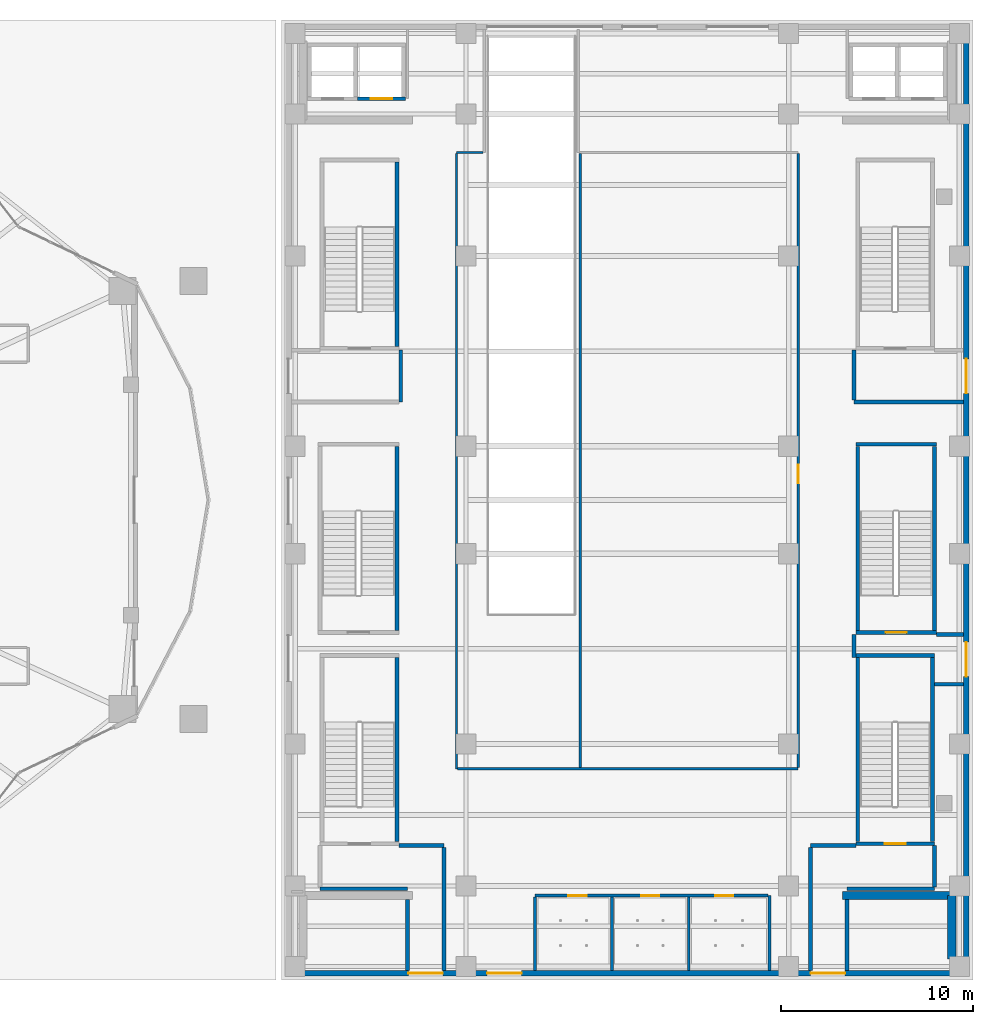
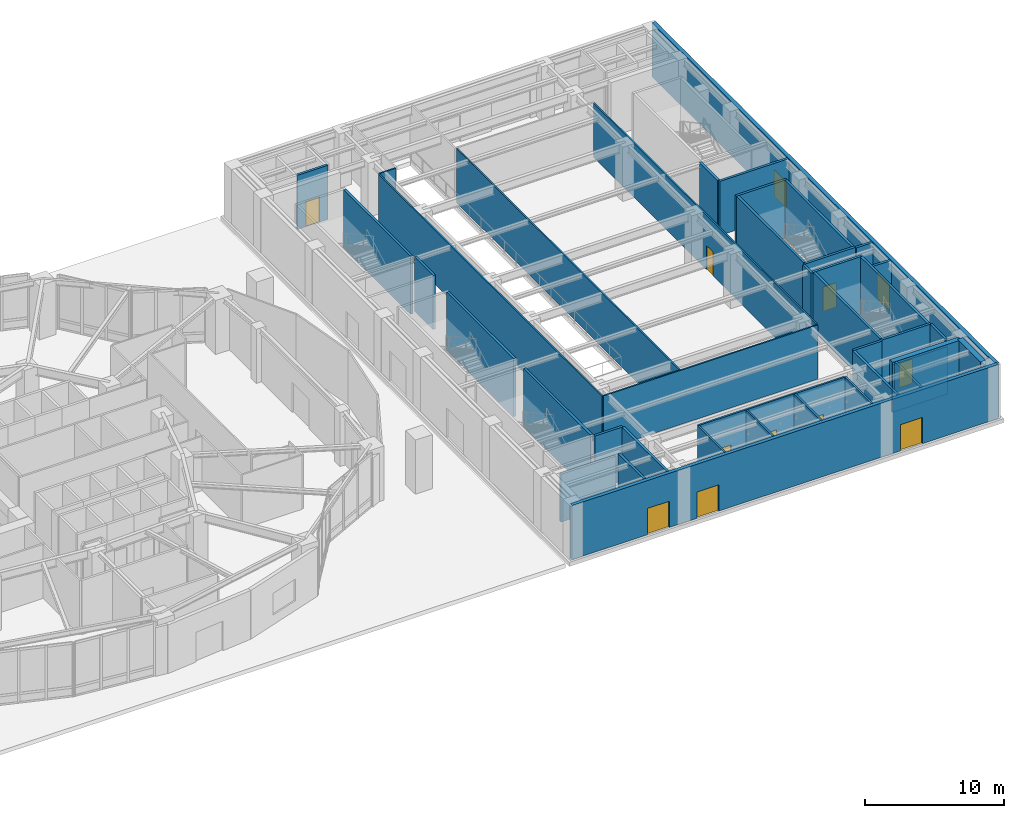
# One storey, part 15 of 23: 41 walls, 12 doors, 12 openings.
"""IFC4 building model written with IfcOpenShell, lengths in metres."""

from ifc_helpers import new_model, si_unit, direction, frame, frame_2d, origin, place, context, subcontext, project, spatial, rectangle, extrude, material, layer, layer_set, type_object, element, fill, save


model = new_model("IFC4")

# Units and contexts
model_context = context("Model", 3, precision=1e-05, world=origin(), true_north=direction((0.0, 1.0)))
body_context = subcontext(model_context, "Body", "Model", "MODEL_VIEW")
ifc_project = project(units=[si_unit("LENGTHUNIT", "METRE"), si_unit("AREAUNIT", "SQUARE_METRE"), si_unit("VOLUMEUNIT", "CUBIC_METRE"), si_unit("PLANEANGLEUNIT", "RADIAN"), si_unit("MASSUNIT", "GRAM", prefix="KILO")], contexts=[model_context])

# Site, building, storey
site_placement = place(None, origin())
site = spatial("IfcSite", under=ifc_project, at=site_placement, CompositionType="ELEMENT")
building_placement = place(site_placement, origin())
building = spatial("IfcBuilding", under=site, at=building_placement, Name="Kolvaren Gate Tower and Convention Centre", CompositionType="ELEMENT")
storey_placement = place(building_placement, origin())
storey = spatial("IfcBuildingStorey", under=building, at=storey_placement, Name="L00", CompositionType="ELEMENT", Elevation=0.0)

# Walls
ifc_material_1 = material(Name="Fire-Rated Acoustic Gypsum Stud Partition", Category="gypsum")
ifc_layer_1 = layer(ifc_material_1, 0.1201171875)
ifc_layer_set_1 = layer_set([ifc_layer_1], Name="Fire-Rated Acoustic Gypsum Stud Partition")
wall_type_1 = type_object("IfcWallType", Name="ARCH-WL-PART-120", PredefinedType="PARTITIONING", material=ifc_layer_set_1)
wall_1_placement = place(storey_placement, frame((71.10009765625, 45.10009765625, 0.0), z_axis=(0.0, 0.0, 1.0), x_axis=(1.0, 0.0, 0.0)))
element("IfcWall", 1, at=wall_1_placement, inside=storey, type_object=wall_type_1, Name="Interior Partition WL-L00-INT-078", PredefinedType="PARTITIONING", context=body_context, shape_type="SweptSolid", body=[
    extrude(rectangle(XDim=1.387939453125, YDim=0.1201171875, at=frame_2d((0.69384765625, 0.0))), origin(), (0.0, 0.0, 1.0), 4.739990234375),
])
wall_2_placement = place(storey_placement, frame((71.10009765625, 13.0, 0.0), z_axis=(0.0, 0.0, 1.0), x_axis=(0.0, 1.0, 0.0)))
element("IfcWall", 2, at=wall_2_placement, inside=storey, type_object=wall_type_1, Name="Interior Partition WL-L00-INT-080", PredefinedType="PARTITIONING", context=body_context, shape_type="SweptSolid", body=[
    extrude(rectangle(XDim=32.0380859375, YDim=0.1201171875, at=frame_2d((16.01904296875, 0.0))), origin(), (0.0, 0.0, 1.0), 4.739990234375),
])
wall_3_placement = place(storey_placement, frame((71.162109375, 13.0, 0.0), z_axis=(0.0, 0.0, 1.0), x_axis=(1.0, 0.0, 0.0)))
element("IfcWall", 3, at=wall_3_placement, inside=storey, type_object=wall_type_1, Name="Interior Partition WL-L00-INT-081", PredefinedType="PARTITIONING", context=body_context, shape_type="SweptSolid", body=[
    extrude(rectangle(XDim=17.73779296875, YDim=0.1201171875, at=frame_2d((8.868896484375, 0.0))), origin(), (0.0, 0.0, 1.0), 4.739990234375),
])

# Wall, opening, door
wall_4_placement = place(storey_placement, frame((88.89990234375, 13.06201171875, 0.0), z_axis=(0.0, 0.0, 1.0), x_axis=(0.0, 1.0, 0.0)))
wall_4 = element("IfcWall", 4, at=wall_4_placement, inside=storey, type_object=wall_type_1, Name="Interior Partition WL-L00-INT-082", PredefinedType="PARTITIONING", context=body_context, shape_type="SweptSolid", body=[
    extrude(rectangle(XDim=31.97607421875, YDim=0.1201171875, at=frame_2d((15.988037109375, 0.0))), origin(), (0.0, 0.0, 1.0), 4.739990234375),
])
opening_1_placement = place(wall_4_placement, frame((14.81298828125, 0.0, 0.0)))
opening_1 = element("IfcOpeningElement", 5, at=opening_1_placement, cuts=wall_4, Name="Opening DR-01", PredefinedType="OPENING", context=body_context, shape_type="SweptSolid", body=[
    extrude(rectangle(XDim=0.949951171875, YDim=2.10009765625, at=frame_2d((0.47509765625, 1.050048828125))), frame((0.0, 0.070068359375, 0.0), z_axis=(0.0, -1.0, 0.0), x_axis=(1.0, 0.0, 0.0)), (0.0, 0.0, 1.0), 0.14013671875),
])
ifc_material_2 = material(Name="Painted Architectural Steelwork ASTM A500 Grade C 345 MPa", Category="steel")
door_type_1 = type_object("IfcDoorType", Name="ARCH-DR-RISER-950", OperationType="SINGLE_SWING_RIGHT", PredefinedType="DOOR", material=ifc_material_2)
door_1_placement = place(opening_1_placement, origin())
door_1 = element("IfcDoor", 6, at=door_1_placement, inside=storey, type_object=door_type_1, Name="Ground Exhibition and Registration Theatre Door", OperationType="SINGLE_SWING_LEFT", OverallHeight=2.10009765625, OverallWidth=0.949951171875, PredefinedType="DOOR", context=body_context, shape_type="SweptSolid", body=[
    extrude(rectangle(XDim=0.949951171875, YDim=2.10009765625, at=frame_2d((0.47509765625, 1.050048828125))), frame((0.0, 0.02490234375, 0.0), z_axis=(0.0, -1.0, 0.0), x_axis=(1.0, 0.0, 0.0)), (0.0, 0.0, 1.0), 0.050048828125),
])
fill(opening_1, door_1)

# Wall
wall_5_placement = place(storey_placement, frame((77.550048828125, 13.06201171875, 0.0), z_axis=(0.0, 0.0, 1.0), x_axis=(0.0, 1.0, 0.0)))
element("IfcWall", 7, at=wall_5_placement, inside=storey, type_object=wall_type_1, Name="Interior Partition WL-L00-INT-085", PredefinedType="PARTITIONING", context=body_context, shape_type="SweptSolid", body=[
    extrude(rectangle(XDim=31.97607421875, YDim=0.1201171875, at=frame_2d((15.988037109375, 0.0))), origin(), (0.0, 0.0, 1.0), 4.739990234375),
])

# Wall, opening, door
ifc_material_3 = material(Name="Autoclaved Aerated Masonry Blockwork Class 4 (4.0 MPa)", Category="masonry")
ifc_layer_2 = layer(ifc_material_3, 0.199951171875)
ifc_layer_set_2 = layer_set([ifc_layer_2], Name="Autoclaved Aerated Masonry Blockwork Class 4 (4.0 MPa)")
wall_type_2 = type_object("IfcWallType", Name="ARCH-WL-SHAFT-200", PredefinedType="SOLIDWALL", material=ifc_layer_set_2)
wall_6_placement = place(storey_placement, frame((65.949951171875, 47.89990234375, 0.0), z_axis=(0.0, 0.0, 1.0), x_axis=(1.0, 0.0, 0.0)))
wall_6 = element("IfcWall", 8, at=wall_6_placement, inside=storey, type_object=wall_type_2, Name="Elevator CL-02 L00 Fire Shaft Wall S", PredefinedType="SOLIDWALL", context=body_context, shape_type="SweptSolid", body=[
    extrude(rectangle(XDim=2.5, YDim=0.199951171875, at=frame_2d((1.25, 0.0))), origin(), (0.0, 0.0, 1.0), 4.739990234375),
])
opening_2_placement = place(wall_6_placement, frame((0.699951171875, 0.0, 0.0)))
opening_2 = element("IfcOpeningElement", 9, at=opening_2_placement, cuts=wall_6, Name="Opening LD", PredefinedType="OPENING", context=body_context, shape_type="SweptSolid", body=[
    extrude(rectangle(XDim=1.10009765625, YDim=2.199951171875, at=frame_2d((0.550048828125, 1.10009765625))), frame((0.0, 0.10986328125, 0.0), z_axis=(0.0, -1.0, 0.0), x_axis=(1.0, 0.0, 0.0)), (0.0, 0.0, 1.0), 0.219970703125),
])
ifc_material_4 = material(Name="Brushed Stainless Steel Grade 316L", Category="steel")
door_type_2 = type_object("IfcDoorType", Name="ARCH-DR-LIFT-1100", OperationType="SLIDING_TO_LEFT", PredefinedType="DOOR", material=ifc_material_4)
door_2_placement = place(opening_2_placement, origin())
door_2 = element("IfcDoor", 10, at=door_2_placement, inside=storey, type_object=door_type_2, Name="Elevator CL-02 L00 Sliding Landing Door", OperationType="SLIDING_TO_LEFT", OverallHeight=2.199951171875, OverallWidth=1.10009765625, PredefinedType="DOOR", context=body_context, shape_type="SweptSolid", body=[
    extrude(rectangle(XDim=1.10009765625, YDim=2.199951171875, at=frame_2d((0.550048828125, 1.10009765625))), frame((0.0, 0.02490234375, 0.0), z_axis=(0.0, -1.0, 0.0), x_axis=(1.0, 0.0, 0.0)), (0.0, 0.0, 1.0), 0.050048828125),
])
fill(opening_2, door_2)

# Walls
wall_7_placement = place(storey_placement, frame((96.001953125, 17.39990234375, 0.0), z_axis=(0.0, 0.0, 1.0), x_axis=(1.0, 0.0, 0.0)))
element("IfcWall", 11, at=wall_7_placement, inside=storey, type_object=wall_type_2, Name="Interior Partition WL-L00-INT-037", PredefinedType="SOLIDWALL", context=body_context, shape_type="SweptSolid", body=[
    extrude(rectangle(XDim=1.49609375, YDim=0.199951171875, at=frame_2d((0.748046875, 0.0))), origin(), (0.0, 0.0, 1.0), 4.739990234375),
])
wall_8_placement = place(storey_placement, frame((68.199951171875, 32.10009765625, 0.0), z_axis=(0.0, 0.0, 1.0), x_axis=(0.0, 1.0, 0.0)))
element("IfcWall", 12, at=wall_8_placement, inside=storey, type_object=wall_type_2, Name="Interior Partition WL-L00-INT-052", PredefinedType="SOLIDWALL", context=body_context, shape_type="SweptSolid", body=[
    extrude(rectangle(XDim=2.699951171875, YDim=0.199951171875, at=frame_2d((1.35009765625, 0.0))), origin(), (0.0, 0.0, 1.0), 4.739990234375),
])
wall_9_placement = place(storey_placement, frame((91.800048828125, 32.10009765625, 0.0), z_axis=(0.0, 0.0, 1.0), x_axis=(1.0, 0.0, 0.0)))
element("IfcWall", 13, at=wall_9_placement, inside=storey, type_object=wall_type_2, Name="Interior Partition WL-L00-INT-054", PredefinedType="SOLIDWALL", context=body_context, shape_type="SweptSolid", body=[
    extrude(rectangle(XDim=5.697998046875, YDim=0.199951171875, at=frame_2d((2.84912109375, 0.0))), origin(), (0.0, 0.0, 1.0), 4.739990234375),
])
wall_10_placement = place(storey_placement, frame((68.550048828125, 2.501953125, 0.0), z_axis=(0.0, 0.0, 1.0), x_axis=(0.0, 1.0, 0.0)))
element("IfcWall", 14, at=wall_10_placement, inside=storey, type_object=wall_type_2, Name="Interior Partition WL-L00-INT-057", PredefinedType="SOLIDWALL", context=body_context, shape_type="SweptSolid", body=[
    extrude(rectangle(XDim=3.68603515625, YDim=0.199951171875, at=frame_2d((1.843017578125, 0.0))), origin(), (0.0, 0.0, 1.0), 4.739990234375),
])
for number, where, z_axis, x_axis, name in (
    (15, (64.0, 6.75, 0.0), (0.0, 0.0, 1.0), (1.0, 0.0, 0.0), "Interior Partition WL-L00-INT-059"),
    (16, (91.449951171875, 6.75, 0.0), (0.0, 0.0, 1.0), (1.0, 0.0, 0.0), "Interior Partition WL-L00-INT-060"),
):
    element("IfcWall", number, at=place(storey_placement, frame(where, z_axis=z_axis, x_axis=x_axis)), inside=storey, type_object=wall_type_2, Name=name, PredefinedType="SOLIDWALL", context=body_context, shape_type="SweptSolid", body=[
        extrude(rectangle(XDim=4.550048828125, YDim=0.199951171875, at=frame_2d((2.27490234375, 0.0))), origin(), (0.0, 0.0, 1.0), 4.18798828125),
    ])
for number, where, z_axis, x_axis, name in (
    (17, (68.10009765625, 9.0, 0.0), (0.0, 0.0, 1.0), (1.0, 0.0, 0.0), "Interior Partition WL-L00-INT-062"),
    (18, (89.550048828125, 9.0, 0.0), (0.0, 0.0, 1.0), (1.0, 0.0, 0.0), "Interior Partition WL-L00-INT-063"),
):
    element("IfcWall", number, at=place(storey_placement, frame(where, z_axis=z_axis, x_axis=x_axis)), inside=storey, type_object=wall_type_2, Name=name, PredefinedType="SOLIDWALL", context=body_context, shape_type="SweptSolid", body=[
        extrude(rectangle(XDim=2.349853515625, YDim=0.199951171875, at=frame_2d((1.1748046875, 0.0))), origin(), (0.0, 0.0, 1.0), 4.739990234375),
    ])
wall_11_placement = place(storey_placement, frame((70.449951171875, 2.501953125, 0.0), z_axis=(0.0, 0.0, 1.0), x_axis=(0.0, 1.0, 0.0)))
element("IfcWall", 19, at=wall_11_placement, inside=storey, type_object=wall_type_2, Name="Interior Partition WL-L00-INT-064", PredefinedType="SOLIDWALL", context=body_context, shape_type="SweptSolid", body=[
    extrude(rectangle(XDim=6.39599609375, YDim=0.199951171875, at=frame_2d((3.197998046875, 0.0))), origin(), (0.0, 0.0, 1.0), 4.739990234375),
])
wall_12_placement = place(storey_placement, frame((91.800048828125, 18.798095703125, 0.0), z_axis=(0.0, 0.0, 1.0), x_axis=(0.0, 1.0, 0.0)))
element("IfcWall", 20, at=wall_12_placement, inside=storey, type_object=wall_type_2, Name="Interior Partition WL-L00-INT-065", PredefinedType="SOLIDWALL", context=body_context, shape_type="SweptSolid", body=[
    extrude(rectangle(XDim=1.201904296875, YDim=0.199951171875, at=frame_2d((0.60107421875, 0.0))), origin(), (0.0, 0.0, 1.0), 4.739990234375),
])
wall_13_placement = place(storey_placement, frame((91.800048828125, 32.201904296875, 0.0), z_axis=(0.0, 0.0, 1.0), x_axis=(0.0, 1.0, 0.0)))
element("IfcWall", 21, at=wall_13_placement, inside=storey, type_object=wall_type_2, Name="Interior Partition WL-L00-INT-066", PredefinedType="SOLIDWALL", context=body_context, shape_type="SweptSolid", body=[
    extrude(rectangle(XDim=2.59814453125, YDim=0.199951171875, at=frame_2d((1.299072265625, 0.0))), origin(), (0.0, 0.0, 1.0), 4.739990234375),
])
wall_14_placement = place(storey_placement, frame((89.550048828125, 2.501953125, 0.0), z_axis=(0.0, 0.0, 1.0), x_axis=(0.0, 1.0, 0.0)))
element("IfcWall", 22, at=wall_14_placement, inside=storey, type_object=wall_type_2, Name="Interior Partition WL-L00-INT-067", PredefinedType="SOLIDWALL", context=body_context, shape_type="SweptSolid", body=[
    extrude(rectangle(XDim=6.39599609375, YDim=0.199951171875, at=frame_2d((3.197998046875, 0.0))), origin(), (0.0, 0.0, 1.0), 4.739990234375),
])
wall_15_placement = place(storey_placement, frame((96.0, 6.85205078125, 0.0), z_axis=(0.0, 0.0, 1.0), x_axis=(0.0, 1.0, 0.0)))
element("IfcWall", 23, at=wall_15_placement, inside=storey, type_object=wall_type_2, Name="Interior Partition WL-L00-INT-068", PredefinedType="SOLIDWALL", context=body_context, shape_type="SweptSolid", body=[
    extrude(rectangle(XDim=2.14599609375, YDim=0.199951171875, at=frame_2d((1.072998046875, 0.0))), origin(), (0.0, 0.0, 1.0), 4.739990234375),
])
wall_16_placement = place(storey_placement, frame((91.449951171875, 2.501953125, 0.0), z_axis=(0.0, 0.0, 1.0), x_axis=(0.0, 1.0, 0.0)))
element("IfcWall", 24, at=wall_16_placement, inside=storey, type_object=wall_type_2, Name="Interior Partition WL-L00-INT-069", PredefinedType="SOLIDWALL", context=body_context, shape_type="SweptSolid", body=[
    extrude(rectangle(XDim=3.68603515625, YDim=0.199951171875, at=frame_2d((1.843017578125, 0.0))), origin(), (0.0, 0.0, 1.0), 4.739990234375),
])
wall_17_placement = place(storey_placement, frame((96.10009765625, 20.0, 0.0), z_axis=(0.0, 0.0, 1.0), x_axis=(1.0, 0.0, 0.0)))
element("IfcWall", 25, at=wall_17_placement, inside=storey, type_object=wall_type_2, Name="Interior Partition WL-L00-INT-071", PredefinedType="SOLIDWALL", context=body_context, shape_type="SweptSolid", body=[
    extrude(rectangle(XDim=1.39794921875, YDim=0.199951171875, at=frame_2d((0.698974609375, 0.0))), origin(), (0.0, 0.0, 1.0), 4.739990234375),
])

# Wall, openings, doors
ifc_material_5 = material(Name="Piedmont Cream Honed Limestone Cladding", Category="masonry")
ifc_layer_3 = layer(ifc_material_5, 0.300048828125)
ifc_layer_set_3 = layer_set([ifc_layer_3], Name="Piedmont Cream Honed Limestone Cladding")
wall_type_3 = type_object("IfcWallType", Name="ARCH-WL-STONE-300", PredefinedType="SOLIDWALL", material=ifc_layer_set_3)
wall_18_placement = place(storey_placement, frame((62.35009765625, 2.35009765625, 0.0), z_axis=(0.0, 0.0, 1.0), x_axis=(1.0, 0.0, 0.0)))
wall_18 = element("IfcWall", 26, at=wall_18_placement, inside=storey, type_object=wall_type_3, Name="Convention Centre L00 S Stone Facade Wall", PredefinedType="SOLIDWALL", context=body_context, shape_type="SweptSolid", body=[
    extrude(rectangle(XDim=35.2998046875, YDim=0.300048828125, at=frame_2d((17.64990234375, 0.0))), origin(), (0.0, 0.0, 1.0), 4.739990234375),
])
opening_3_placement = place(wall_18_placement, frame((6.25, 0.0, 0.0)))
opening_3 = element("IfcOpeningElement", 27, at=opening_3_placement, cuts=wall_18, Name="Opening DX-01", PredefinedType="OPENING", context=body_context, shape_type="SweptSolid", body=[
    extrude(rectangle(XDim=1.800048828125, YDim=2.300048828125, at=frame_2d((0.89990234375, 1.14990234375))), frame((0.0, 0.159912109375, 0.0), z_axis=(0.0, -1.0, 0.0), x_axis=(1.0, 0.0, 0.0)), (0.0, 0.0, 1.0), 0.320068359375),
])
opening_4_placement = place(wall_18_placement, frame((10.35009765625, 0.0, 0.0)))
opening_4 = element("IfcOpeningElement", 28, at=opening_4_placement, cuts=wall_18, Name="Opening DX-01", PredefinedType="OPENING", context=body_context, shape_type="SweptSolid", body=[
    extrude(rectangle(XDim=1.800048828125, YDim=2.300048828125, at=frame_2d((0.89990234375, 1.14990234375))), frame((0.0, 0.159912109375, 0.0), z_axis=(0.0, -1.0, 0.0), x_axis=(1.0, 0.0, 0.0)), (0.0, 0.0, 1.0), 0.320068359375),
])
opening_5_placement = place(wall_18_placement, frame((27.199951171875, 0.0, 0.0)))
opening_5 = element("IfcOpeningElement", 29, at=opening_5_placement, cuts=wall_18, Name="Opening DX-01", PredefinedType="OPENING", context=body_context, shape_type="SweptSolid", body=[
    extrude(rectangle(XDim=1.800048828125, YDim=2.300048828125, at=frame_2d((0.89990234375, 1.14990234375))), frame((0.0, 0.159912109375, 0.0), z_axis=(0.0, -1.0, 0.0), x_axis=(1.0, 0.0, 0.0)), (0.0, 0.0, 1.0), 0.320068359375),
])
ifc_material_6 = material(Name="Anodized Architectural Aluminium Alloy 6063-T6", Category="aluminium")
door_type_3 = type_object("IfcDoorType", Name="ARCH-DR-EXIT-1800", OperationType="DOUBLE_DOOR_SINGLE_SWING", PredefinedType="DOOR", material=ifc_material_6)
door_3_placement = place(opening_3_placement, frame((1.800048828125, 0.0, 0.0), z_axis=(0.0, 0.0, 1.0), x_axis=(-1.0, 0.0, 0.0)))
door_3 = element("IfcDoor", 30, at=door_3_placement, inside=storey, type_object=door_type_3, Name="Stair ST-C2 Protected Exit Discharge Door DX-C2", OperationType="DOUBLE_DOOR_SINGLE_SWING", OverallHeight=2.300048828125, OverallWidth=1.800048828125, PredefinedType="DOOR", context=body_context, shape_type="SweptSolid", body=[
    extrude(rectangle(XDim=1.800048828125, YDim=2.300048828125, at=frame_2d((0.89990234375, 1.14990234375))), frame((0.0, 0.02490234375, 0.0), z_axis=(0.0, -1.0, 0.0), x_axis=(1.0, 0.0, 0.0)), (0.0, 0.0, 1.0), 0.050048828125),
])
fill(opening_3, door_3)
door_4_placement = place(opening_4_placement, frame((1.800048828125, 0.0, 0.0), z_axis=(0.0, 0.0, 1.0), x_axis=(-1.0, 0.0, 0.0)))
door_4 = element("IfcDoor", 31, at=door_4_placement, inside=storey, type_object=door_type_3, Name="Convention S Exit Discharge Door", OperationType="DOUBLE_DOOR_SINGLE_SWING", OverallHeight=2.300048828125, OverallWidth=1.800048828125, PredefinedType="DOOR", context=body_context, shape_type="SweptSolid", body=[
    extrude(rectangle(XDim=1.800048828125, YDim=2.300048828125, at=frame_2d((0.89990234375, 1.14990234375))), frame((0.0, 0.02490234375, 0.0), z_axis=(0.0, -1.0, 0.0), x_axis=(1.0, 0.0, 0.0)), (0.0, 0.0, 1.0), 0.050048828125),
])
fill(opening_4, door_4)
door_5_placement = place(opening_5_placement, frame((1.800048828125, 0.0, 0.0), z_axis=(0.0, 0.0, 1.0), x_axis=(-1.0, 0.0, 0.0)))
door_5 = element("IfcDoor", 32, at=door_5_placement, inside=storey, type_object=door_type_3, Name="Stair ST-C4 Protected Exit Discharge Door DX-C4", OperationType="DOUBLE_DOOR_SINGLE_SWING", OverallHeight=2.300048828125, OverallWidth=1.800048828125, PredefinedType="DOOR", context=body_context, shape_type="SweptSolid", body=[
    extrude(rectangle(XDim=1.800048828125, YDim=2.300048828125, at=frame_2d((0.89990234375, 1.14990234375))), frame((0.0, 0.02490234375, 0.0), z_axis=(0.0, -1.0, 0.0), x_axis=(1.0, 0.0, 0.0)), (0.0, 0.0, 1.0), 0.050048828125),
])
fill(opening_5, door_5)

wall_19_placement = place(storey_placement, frame((97.64990234375, 2.35009765625, 0.0), z_axis=(0.0, 0.0, 1.0), x_axis=(0.0, 1.0, 0.0)))
wall_19 = element("IfcWall", 33, at=wall_19_placement, inside=storey, type_object=wall_type_3, Name="Convention Centre L00 E Stone Facade Wall", PredefinedType="SOLIDWALL", context=body_context, shape_type="SweptSolid", body=[
    extrude(rectangle(XDim=49.2998046875, YDim=0.300048828125, at=frame_2d((24.64990234375, 0.0))), origin(), (0.0, 0.0, 1.0), 4.739990234375),
])
opening_6_placement = place(wall_19_placement, frame((15.449951171875, 0.0, 0.0)))
opening_6 = element("IfcOpeningElement", 34, at=opening_6_placement, cuts=wall_19, Name="Opening DX-01", PredefinedType="OPENING", context=body_context, shape_type="SweptSolid", body=[
    extrude(rectangle(XDim=1.800048828125, YDim=2.300048828125, at=frame_2d((0.89990234375, 1.14990234375))), frame((0.0, 0.159912109375, 0.0), z_axis=(0.0, -1.0, 0.0), x_axis=(1.0, 0.0, 0.0)), (0.0, 0.0, 1.0), 0.320068359375),
])
opening_7_placement = place(wall_19_placement, frame((30.199951171875, 0.0, 0.0)))
opening_7 = element("IfcOpeningElement", 35, at=opening_7_placement, cuts=wall_19, Name="Opening DX-01", PredefinedType="OPENING", context=body_context, shape_type="SweptSolid", body=[
    extrude(rectangle(XDim=1.800048828125, YDim=2.300048828125, at=frame_2d((0.89990234375, 1.14990234375))), frame((0.0, 0.159912109375, 0.0), z_axis=(0.0, -1.0, 0.0), x_axis=(1.0, 0.0, 0.0)), (0.0, 0.0, 1.0), 0.320068359375),
])
door_6_placement = place(opening_6_placement, frame((1.800048828125, 0.0, 0.0), z_axis=(0.0, 0.0, 1.0), x_axis=(-1.0, 0.0, 0.0)))
door_6 = element("IfcDoor", 36, at=door_6_placement, inside=storey, type_object=door_type_3, Name="Stair ST-C6 Protected Exit Discharge Door DX-C6", OperationType="DOUBLE_DOOR_SINGLE_SWING", OverallHeight=2.300048828125, OverallWidth=1.800048828125, PredefinedType="DOOR", context=body_context, shape_type="SweptSolid", body=[
    extrude(rectangle(XDim=1.800048828125, YDim=2.300048828125, at=frame_2d((0.89990234375, 1.14990234375))), frame((0.0, 0.02490234375, 0.0), z_axis=(0.0, -1.0, 0.0), x_axis=(1.0, 0.0, 0.0)), (0.0, 0.0, 1.0), 0.050048828125),
])
fill(opening_6, door_6)
door_7_placement = place(opening_7_placement, frame((1.800048828125, 0.0, 0.0), z_axis=(0.0, 0.0, 1.0), x_axis=(-1.0, 0.0, 0.0)))
door_7 = element("IfcDoor", 37, at=door_7_placement, inside=storey, type_object=door_type_3, Name="Stair ST-C3 Protected Exit Discharge Door DX-C3", OperationType="DOUBLE_DOOR_SINGLE_SWING", OverallHeight=2.300048828125, OverallWidth=1.800048828125, PredefinedType="DOOR", context=body_context, shape_type="SweptSolid", body=[
    extrude(rectangle(XDim=1.800048828125, YDim=2.300048828125, at=frame_2d((0.89990234375, 1.14990234375))), frame((0.0, 0.02490234375, 0.0), z_axis=(0.0, -1.0, 0.0), x_axis=(1.0, 0.0, 0.0)), (0.0, 0.0, 1.0), 0.050048828125),
])
fill(opening_7, door_7)

# Wall
ifc_material_7 = material(Name="Moisture-Resistant Cement-Board Acoustic Partition", Category="gypsum")
ifc_layer_4 = layer(ifc_material_7, 0.14990234375)
ifc_layer_set_4 = layer_set([ifc_layer_4], Name="Moisture-Resistant Cement-Board Acoustic Partition")
wall_type_4 = type_object("IfcWallType", Name="ARCH-WL-WET-150", PredefinedType="PARTITIONING", material=ifc_layer_set_4)
wall_20_placement = place(storey_placement, frame((87.39990234375, 2.501953125, 0.0), z_axis=(0.0, 0.0, 1.0), x_axis=(0.0, 1.0, 0.0)))
element("IfcWall", 38, at=wall_20_placement, inside=storey, type_object=wall_type_4, Name="Interior Partition WL-L00-INT-072", PredefinedType="PARTITIONING", context=body_context, shape_type="SweptSolid", body=[
    extrude(rectangle(XDim=3.89794921875, YDim=0.14990234375, at=frame_2d((1.948974609375, 0.0))), origin(), (0.0, 0.0, 1.0), 4.739990234375),
])

# Wall, openings, doors
wall_21_placement = place(storey_placement, frame((75.199951171875, 6.39990234375, 0.0), z_axis=(0.0, 0.0, 1.0), x_axis=(1.0, 0.0, 0.0)))
wall_21 = element("IfcWall", 39, at=wall_21_placement, inside=storey, type_object=wall_type_4, Name="Interior Partition WL-L00-INT-073", PredefinedType="PARTITIONING", context=body_context, shape_type="SweptSolid", body=[
    extrude(rectangle(XDim=12.123046875, YDim=0.14990234375, at=frame_2d((6.0615234375, 0.0))), origin(), (0.0, 0.0, 1.0), 4.739990234375),
])
opening_8_placement = place(wall_21_placement, frame((1.72998046875, 0.0, 0.0)))
opening_8 = element("IfcOpeningElement", 40, at=opening_8_placement, cuts=wall_21, Name="Opening DR-01", PredefinedType="OPENING", context=body_context, shape_type="SweptSolid", body=[
    extrude(rectangle(XDim=0.949951171875, YDim=2.10009765625, at=frame_2d((0.47509765625, 1.050048828125))), frame((0.0, 0.0849609375, 0.0), z_axis=(0.0, -1.0, 0.0), x_axis=(1.0, 0.0, 0.0)), (0.0, 0.0, 1.0), 0.169921875),
])
opening_9_placement = place(wall_21_placement, frame((5.52490234375, 0.0, 0.0)))
opening_9 = element("IfcOpeningElement", 41, at=opening_9_placement, cuts=wall_21, Name="Opening DR-01", PredefinedType="OPENING", context=body_context, shape_type="SweptSolid", body=[
    extrude(rectangle(XDim=0.949951171875, YDim=2.10009765625, at=frame_2d((0.47509765625, 1.050048828125))), frame((0.0, 0.0849609375, 0.0), z_axis=(0.0, -1.0, 0.0), x_axis=(1.0, 0.0, 0.0)), (0.0, 0.0, 1.0), 0.169921875),
])
opening_10_placement = place(wall_21_placement, frame((9.381591796875, 0.0, 0.0)))
opening_10 = element("IfcOpeningElement", 42, at=opening_10_placement, cuts=wall_21, Name="Opening DR-01", PredefinedType="OPENING", context=body_context, shape_type="SweptSolid", body=[
    extrude(rectangle(XDim=0.949951171875, YDim=2.10009765625, at=frame_2d((0.47509765625, 1.050048828125))), frame((0.0, 0.0849609375, 0.0), z_axis=(0.0, -1.0, 0.0), x_axis=(1.0, 0.0, 0.0)), (0.0, 0.0, 1.0), 0.169921875),
])
door_8_placement = place(opening_8_placement, origin())
door_8 = element("IfcDoor", 43, at=door_8_placement, inside=storey, type_object=door_type_1, Name="Convention L00 Delegate Male Restroom Door", OperationType="SINGLE_SWING_RIGHT", OverallHeight=2.10009765625, OverallWidth=0.949951171875, PredefinedType="DOOR", context=body_context, shape_type="SweptSolid", body=[
    extrude(rectangle(XDim=0.949951171875, YDim=2.10009765625, at=frame_2d((0.47509765625, 1.050048828125))), frame((0.0, 0.02490234375, 0.0), z_axis=(0.0, -1.0, 0.0), x_axis=(1.0, 0.0, 0.0)), (0.0, 0.0, 1.0), 0.050048828125),
])
fill(opening_8, door_8)
door_9_placement = place(opening_9_placement, origin())
door_9 = element("IfcDoor", 44, at=door_9_placement, inside=storey, type_object=door_type_1, Name="Convention L00 Accessible Restroom Door", OperationType="SINGLE_SWING_LEFT", OverallHeight=2.10009765625, OverallWidth=0.949951171875, PredefinedType="DOOR", context=body_context, shape_type="SweptSolid", body=[
    extrude(rectangle(XDim=0.949951171875, YDim=2.10009765625, at=frame_2d((0.47509765625, 1.050048828125))), frame((0.0, 0.02490234375, 0.0), z_axis=(0.0, -1.0, 0.0), x_axis=(1.0, 0.0, 0.0)), (0.0, 0.0, 1.0), 0.050048828125),
])
fill(opening_9, door_9)
door_10_placement = place(opening_10_placement, origin())
door_10 = element("IfcDoor", 45, at=door_10_placement, inside=storey, type_object=door_type_1, Name="Convention L00 Delegate Female Restroom Door", OperationType="SINGLE_SWING_RIGHT", OverallHeight=2.10009765625, OverallWidth=0.949951171875, PredefinedType="DOOR", context=body_context, shape_type="SweptSolid", body=[
    extrude(rectangle(XDim=0.949951171875, YDim=2.10009765625, at=frame_2d((0.47509765625, 1.050048828125))), frame((0.0, 0.02490234375, 0.0), z_axis=(0.0, -1.0, 0.0), x_axis=(1.0, 0.0, 0.0)), (0.0, 0.0, 1.0), 0.050048828125),
])
fill(opening_10, door_10)

# Walls
for number, where, z_axis, x_axis, name in (
    (46, (75.199951171875, 2.501953125, 0.0), (0.0, 0.0, 1.0), (0.0, 1.0, 0.0), "Interior Partition WL-L00-INT-074"),
    (47, (79.199951171875, 2.501953125, 0.0), (0.0, 0.0, 1.0), (0.0, 1.0, 0.0), "Interior Partition WL-L00-INT-083"),
    (48, (83.199951171875, 2.501953125, 0.0), (0.0, 0.0, 1.0), (0.0, 1.0, 0.0), "Interior Partition WL-L00-INT-084"),
):
    element("IfcWall", number, at=place(storey_placement, frame(where, z_axis=z_axis, x_axis=x_axis)), inside=storey, type_object=wall_type_4, Name=name, PredefinedType="PARTITIONING", context=body_context, shape_type="SweptSolid", body=[
        extrude(rectangle(XDim=3.821044921875, YDim=0.14990234375, at=frame_2d((1.91064453125, 0.0))), origin(), (0.0, 0.0, 1.0), 4.739990234375),
    ])
ifc_material_8 = material(Name="Concrete C50/60", Category="concrete")
ifc_layer_5 = layer(ifc_material_8, 0.419921875)
ifc_layer_set_5 = layer_set([ifc_layer_5], Name="Concrete C50/60")
wall_type_5 = type_object("IfcWallType", Name="STR-WL-CONV-420", PredefinedType="SHEAR", material=ifc_layer_set_5)
wall_22_placement = place(storey_placement, frame((96.89990234375, 3.10009765625, -0.360107421875), z_axis=(0.0, 0.0, 1.0), x_axis=(0.0, 1.0, 0.0)))
element("IfcWall", 49, at=wall_22_placement, inside=storey, type_object=wall_type_5, Name="Convention L00 Shear Core Wall CCSE-E", PredefinedType="SHEAR", context=body_context, shape_type="SweptSolid", body=[
    extrude(rectangle(XDim=3.2998046875, YDim=0.419921875, at=frame_2d((1.64990234375, 0.0))), origin(), (0.0, 0.0, 1.0), 5.10009765625),
])
wall_23_placement = place(storey_placement, frame((91.199951171875, 6.39990234375, -0.360107421875), z_axis=(0.0, 0.0, 1.0), x_axis=(1.0, 0.0, 0.0)))
element("IfcWall", 50, at=wall_23_placement, inside=storey, type_object=wall_type_5, Name="Convention L00 Shear Core Wall CCSE-N", PredefinedType="SHEAR", context=body_context, shape_type="SweptSolid", body=[
    extrude(rectangle(XDim=5.699951171875, YDim=0.419921875, at=frame_2d((2.85009765625, 0.0))), origin(), (0.0, 0.0, 1.0), 5.10009765625),
])
ifc_layer_6 = layer(ifc_material_8, 0.199951171875)
ifc_layer_set_6 = layer_set([ifc_layer_6], Name="Concrete C50/60")
wall_type_6 = type_object("IfcWallType", Name="STR-WL-SHAFT-200", PredefinedType="SHEAR", material=ifc_layer_set_6)
wall_24_placement = place(storey_placement, frame((68.0, 35.001953125, -0.360107421875), z_axis=(0.0, 0.0, 1.0), x_axis=(0.0, 1.0, 0.0)))
element("IfcWall", 51, at=wall_24_placement, inside=storey, type_object=wall_type_6, Name="Convention NW Exit Stair ST-C1 L00 Structural Shear Enclosure Wall EAST", PredefinedType="SHEAR", context=body_context, shape_type="SweptSolid", body=[
    extrude(rectangle(XDim=9.595947265625, YDim=0.199951171875, at=frame_2d((4.7978515625, 0.0))), origin(), (0.0, 0.0, 1.0), 5.10009765625),
])
wall_25_placement = place(storey_placement, frame((68.0, 9.201904296875, -0.360107421875), z_axis=(0.0, 0.0, 1.0), x_axis=(0.0, 1.0, 0.0)))
element("IfcWall", 52, at=wall_25_placement, inside=storey, type_object=wall_type_6, Name="Convention SW Exit Stair ST-C2 L00 Structural Shear Enclosure Wall EAST", PredefinedType="SHEAR", context=body_context, shape_type="SweptSolid", body=[
    extrude(rectangle(XDim=9.59619140625, YDim=0.199951171875, at=frame_2d((4.798095703125, 0.0))), origin(), (0.0, 0.0, 1.0), 5.10009765625),
])

# Wall, opening, door
wall_26_placement = place(storey_placement, frame((91.89990234375, 9.10009765625, -0.360107421875), z_axis=(0.0, 0.0, 1.0), x_axis=(1.0, 0.0, 0.0)))
wall_26 = element("IfcWall", 53, at=wall_26_placement, inside=storey, type_object=wall_type_6, Name="Convention SE Exit Stair ST-C4 L00 Structural Shear Enclosure Wall NEAR", PredefinedType="SHEAR", context=body_context, shape_type="SweptSolid", body=[
    extrude(rectangle(XDim=4.10009765625, YDim=0.199951171875, at=frame_2d((2.050048828125, 0.0))), origin(), (0.0, 0.0, 1.0), 5.10009765625),
])
opening_11_placement = place(wall_26_placement, frame((1.5, 0.0, 0.360107421875)))
opening_11 = element("IfcOpeningElement", 54, at=opening_11_placement, cuts=wall_26, Name="Opening DS-01", PredefinedType="OPENING", context=body_context, shape_type="SweptSolid", body=[
    extrude(rectangle(XDim=1.10009765625, YDim=2.14990234375, at=frame_2d((0.550048828125, 1.074951171875))), frame((0.0, 0.10986328125, 0.0), z_axis=(0.0, -1.0, 0.0), x_axis=(1.0, 0.0, 0.0)), (0.0, 0.0, 1.0), 0.219970703125),
])
door_type_4 = type_object("IfcDoorType", Name="ARCH-DR-STAIR-1100", OperationType="SINGLE_SWING_LEFT", PredefinedType="DOOR", material=ifc_material_2)
door_11_placement = place(opening_11_placement, origin())
door_11 = element("IfcDoor", 55, at=door_11_placement, inside=storey, type_object=door_type_4, Name="Convention SE Exit Stair ST-C4 L00 Fire Exit Stair Door", OperationType="SINGLE_SWING_RIGHT", OverallHeight=2.14990234375, OverallWidth=1.10009765625, PredefinedType="DOOR", context=body_context, shape_type="SweptSolid", body=[
    extrude(rectangle(XDim=1.10009765625, YDim=2.14990234375, at=frame_2d((0.550048828125, 1.074951171875))), frame((0.0, 0.02490234375, 0.0), z_axis=(0.0, -1.0, 0.0), x_axis=(1.0, 0.0, 0.0)), (0.0, 0.0, 1.0), 0.050048828125),
])
fill(opening_11, door_11)

# Walls
wall_27_placement = place(storey_placement, frame((91.89990234375, 18.89990234375, -0.360107421875), z_axis=(0.0, 0.0, 1.0), x_axis=(1.0, 0.0, 0.0)))
element("IfcWall", 56, at=wall_27_placement, inside=storey, type_object=wall_type_6, Name="Convention SE Exit Stair ST-C4 L00 Structural Shear Enclosure Wall FAR", PredefinedType="SHEAR", context=body_context, shape_type="SweptSolid", body=[
    extrude(rectangle(XDim=4.10009765625, YDim=0.199951171875, at=frame_2d((2.050048828125, 0.0))), origin(), (0.0, 0.0, 1.0), 5.10009765625),
])
for number, where, z_axis, x_axis, name in (
    (57, (92.0, 9.201904296875, -0.360107421875), (0.0, 0.0, 1.0), (0.0, 1.0, 0.0), "Convention SE Exit Stair ST-C4 L00 Structural Shear Enclosure Wall WEST"),
    (58, (95.89990234375, 9.201904296875, -0.360107421875), (0.0, 0.0, 1.0), (0.0, 1.0, 0.0), "Convention SE Exit Stair ST-C4 L00 Structural Shear Enclosure Wall EAST"),
    (59, (68.0, 20.201904296875, -0.360107421875), (0.0, 0.0, 1.0), (0.0, 1.0, 0.0), "Convention West Assembly Stair ST-C5 L00 Structural Shear Enclosure Wall EAST"),
):
    element("IfcWall", number, at=place(storey_placement, frame(where, z_axis=z_axis, x_axis=x_axis)), inside=storey, type_object=wall_type_6, Name=name, PredefinedType="SHEAR", context=body_context, shape_type="SweptSolid", body=[
        extrude(rectangle(XDim=9.59619140625, YDim=0.199951171875, at=frame_2d((4.798095703125, 0.0))), origin(), (0.0, 0.0, 1.0), 5.10009765625),
    ])

# Wall, opening, door
wall_28_placement = place(storey_placement, frame((91.89990234375, 20.10009765625, -0.360107421875), z_axis=(0.0, 0.0, 1.0), x_axis=(1.0, 0.0, 0.0)))
wall_28 = element("IfcWall", 60, at=wall_28_placement, inside=storey, type_object=wall_type_6, Name="Convention East Assembly Stair ST-C6 L00 Structural Shear Enclosure Wall NEAR", PredefinedType="SHEAR", context=body_context, shape_type="SweptSolid", body=[
    extrude(rectangle(XDim=4.2001953125, YDim=0.199951171875, at=frame_2d((2.10009765625, 0.0))), origin(), (0.0, 0.0, 1.0), 5.10009765625),
])
opening_12_placement = place(wall_28_placement, frame((1.550048828125, 0.0, 0.360107421875)))
opening_12 = element("IfcOpeningElement", 61, at=opening_12_placement, cuts=wall_28, Name="Opening DS-01", PredefinedType="OPENING", context=body_context, shape_type="SweptSolid", body=[
    extrude(rectangle(XDim=1.10009765625, YDim=2.14990234375, at=frame_2d((0.550048828125, 1.074951171875))), frame((0.0, 0.10986328125, 0.0), z_axis=(0.0, -1.0, 0.0), x_axis=(1.0, 0.0, 0.0)), (0.0, 0.0, 1.0), 0.219970703125),
])
door_12_placement = place(opening_12_placement, origin())
door_12 = element("IfcDoor", 62, at=door_12_placement, inside=storey, type_object=door_type_4, Name="Convention East Assembly Stair ST-C6 L00 Fire Exit Stair Door", OperationType="SINGLE_SWING_RIGHT", OverallHeight=2.14990234375, OverallWidth=1.10009765625, PredefinedType="DOOR", context=body_context, shape_type="SweptSolid", body=[
    extrude(rectangle(XDim=1.10009765625, YDim=2.14990234375, at=frame_2d((0.550048828125, 1.074951171875))), frame((0.0, 0.02490234375, 0.0), z_axis=(0.0, -1.0, 0.0), x_axis=(1.0, 0.0, 0.0)), (0.0, 0.0, 1.0), 0.050048828125),
])
fill(opening_12, door_12)

# Walls
wall_29_placement = place(storey_placement, frame((91.89990234375, 29.89990234375, -0.360107421875), z_axis=(0.0, 0.0, 1.0), x_axis=(1.0, 0.0, 0.0)))
element("IfcWall", 63, at=wall_29_placement, inside=storey, type_object=wall_type_6, Name="Convention East Assembly Stair ST-C6 L00 Structural Shear Enclosure Wall FAR", PredefinedType="SHEAR", context=body_context, shape_type="SweptSolid", body=[
    extrude(rectangle(XDim=4.2001953125, YDim=0.199951171875, at=frame_2d((2.10009765625, 0.0))), origin(), (0.0, 0.0, 1.0), 5.10009765625),
])
for number, where, z_axis, x_axis, name in (
    (64, (92.0, 20.201904296875, -0.360107421875), (0.0, 0.0, 1.0), (0.0, 1.0, 0.0), "Convention East Assembly Stair ST-C6 L00 Structural Shear Enclosure Wall WEST"),
    (65, (96.0, 20.201904296875, -0.360107421875), (0.0, 0.0, 1.0), (0.0, 1.0, 0.0), "Convention East Assembly Stair ST-C6 L00 Structural Shear Enclosure Wall EAST"),
):
    element("IfcWall", number, at=place(storey_placement, frame(where, z_axis=z_axis, x_axis=x_axis)), inside=storey, type_object=wall_type_6, Name=name, PredefinedType="SHEAR", context=body_context, shape_type="SweptSolid", body=[
        extrude(rectangle(XDim=9.59619140625, YDim=0.199951171875, at=frame_2d((4.798095703125, 0.0))), origin(), (0.0, 0.0, 1.0), 5.10009765625),
    ])

save(model, "model.ifc")
